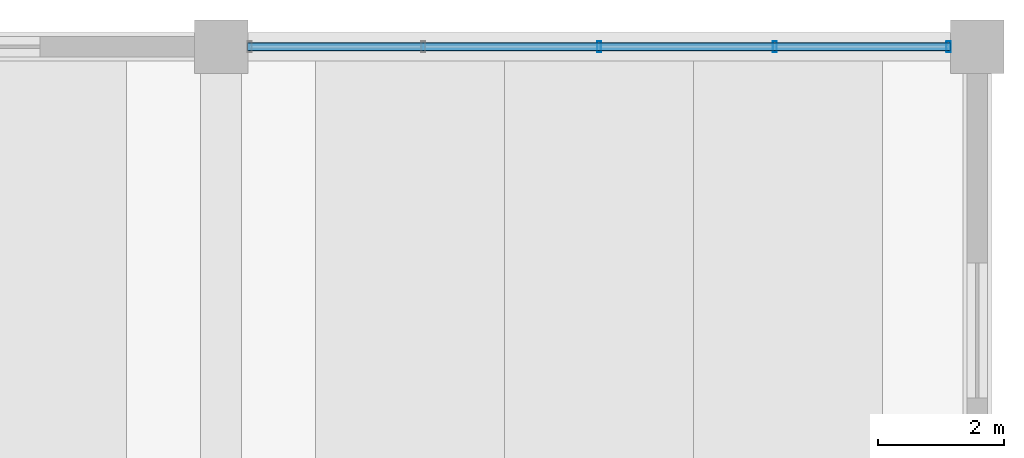
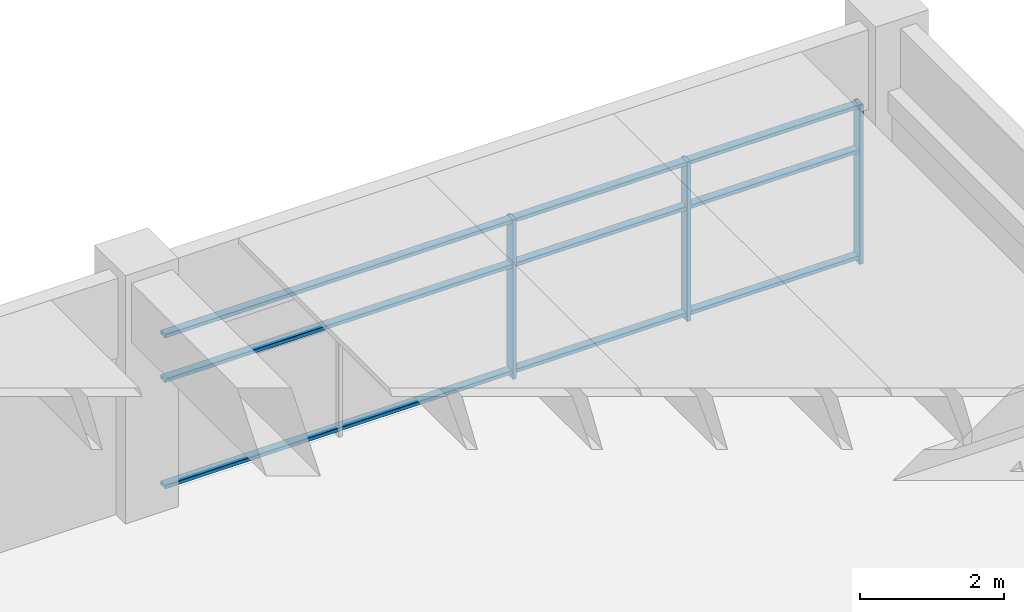
# One storey, part 30 of 50: 6 members, 1 element without a shape of its own.
"""IFC4 building model written with IfcOpenShell, lengths in metres."""

from ifc_helpers import new_model, si_unit, direction, frame, origin, origin_2d, place, context, subcontext, project, spatial, hollow_rectangle, extrude, material, material_profile, profile_set, type_object, element, aggregate, save


model = new_model("IFC4")

# Units and contexts
model_context = context("Model", 3, precision=1e-05, world=origin(), true_north=direction((0.0, 1.0)))
body_context = subcontext(model_context, "Body", "Model", "MODEL_VIEW")
ifc_project = project(units=[si_unit("LENGTHUNIT", "METRE"), si_unit("AREAUNIT", "SQUARE_METRE"), si_unit("VOLUMEUNIT", "CUBIC_METRE"), si_unit("PLANEANGLEUNIT", "RADIAN"), si_unit("MASSUNIT", "GRAM", prefix="KILO")], contexts=[model_context])

# Site, building, storey
site_placement = place(None, origin())
site = spatial("IfcSite", under=ifc_project, at=site_placement, CompositionType="ELEMENT")
building_placement = place(site_placement, origin())
building = spatial("IfcBuilding", under=site, at=building_placement, Name="Girod Span Mobility Hub", CompositionType="ELEMENT")
storey_placement = place(building_placement, frame((0.0, 0.0, 5.39990234375)))
storey = spatial("IfcBuildingStorey", under=building, at=storey_placement, Name="L01", CompositionType="ELEMENT", Elevation=5.39990234375)

# Curtain wall, members
ifc_material_1 = material(Name="Thermally Broken Anodised Aluminium", Category="aluminium")
curtain_wall_type = type_object("IfcCurtainWallType", Name="CW-1115X269", PredefinedType="USERDEFINED", material=ifc_material_1)
curtain_wall_placement = place(storey_placement, origin())
curtain_wall = element("IfcCurtainWall", 1, at=curtain_wall_placement, inside=storey, type_object=curtain_wall_type, Name="Concourse Storefront CW-L01-N14 L01", ObjectType="CONCOURSE STOREFRONT", PredefinedType="USERDEFINED")
ifc_material_2 = material(Name="Thermally Broken Anodised Aluminium", Category="aluminium")
ifc_material_profile_1 = material_profile(ifc_material_2, hollow_rectangle(XDim=0.179931640625, YDim=0.06494140625, WallThickness=0.00390625, InnerFilletRadius=0.00390625, OuterFilletRadius=0.008056640625, at=origin_2d()), Name="CW-ML-65X180")
ifc_profile_set_1 = profile_set([ifc_material_profile_1], Name="Thermally Broken Anodised Aluminium")
member_type_1 = type_object("IfcMemberType", Name="CWM-ML-2", PredefinedType="MULLION", material=ifc_profile_set_1)
member_1_placement = place(storey_placement, frame((162.0, 114.0, 0.0), z_axis=(0.0, 0.0, 1.0), x_axis=(0.0, 1.0, 0.0)))
member_1 = element("IfcMember", 2, at=member_1_placement, type_object=member_type_1, Name="Curtain Wall Mullion CW-L01-N14-M2", PredefinedType="MULLION", context=body_context, shape_type="SweptSolid", body=[
    extrude(hollow_rectangle(XDim=0.179931640625, YDim=0.06494140625, WallThickness=0.00390625, InnerFilletRadius=0.00390625, OuterFilletRadius=0.008056640625, at=origin_2d()), origin(), (0.0, 0.0, 1.0), 2.690185546875),
])
member_2_placement = place(storey_placement, frame((164.78857421875, 114.0, 0.0), z_axis=(0.0, 0.0, 1.0), x_axis=(0.0, 1.0, 0.0)))
member_2 = element("IfcMember", 3, at=member_2_placement, type_object=member_type_1, Name="Curtain Wall Mullion CW-L01-N14-M3", PredefinedType="MULLION", context=body_context, shape_type="SweptSolid", body=[
    extrude(hollow_rectangle(XDim=0.179931640625, YDim=0.06494140625, WallThickness=0.00390625, InnerFilletRadius=0.00390625, OuterFilletRadius=0.008056640625, at=origin_2d()), origin(), (0.0, 0.0, 1.0), 2.690185546875),
])
member_3_placement = place(storey_placement, frame((167.544921875, 114.0, 0.0), z_axis=(0.0, 0.0, 1.0), x_axis=(0.0, 1.0, 0.0)))
member_3 = element("IfcMember", 4, at=member_3_placement, type_object=member_type_1, Name="Curtain Wall Mullion CW-L01-N14-M4", PredefinedType="MULLION", context=body_context, shape_type="SweptSolid", body=[
    extrude(hollow_rectangle(XDim=0.179931640625, YDim=0.06494140625, WallThickness=0.00390625, InnerFilletRadius=0.00390625, OuterFilletRadius=0.008056640625, at=origin_2d()), origin(), (0.0, 0.0, 1.0), 2.690185546875),
])
ifc_material_3 = material(Name="Thermally Broken Anodised Aluminium", Category="aluminium")
ifc_material_profile_2 = material_profile(ifc_material_3, hollow_rectangle(XDim=0.135009765625, YDim=0.06494140625, WallThickness=0.00390625, InnerFilletRadius=0.00390625, OuterFilletRadius=0.008056640625, at=origin_2d()), Name="CW-TR-65X135")
ifc_profile_set_2 = profile_set([ifc_material_profile_2], Name="Thermally Broken Anodised Aluminium")
member_type_2 = type_object("IfcMemberType", Name="CWM-TR-2", PredefinedType="USERDEFINED", material=ifc_profile_set_2)
member_4_placement = place(storey_placement, frame((156.423095703125, 114.0, 0.107666015625), z_axis=(1.0, 0.0, 0.0), x_axis=(0.0, 1.0, 0.0)))
member_4 = element("IfcMember", 5, at=member_4_placement, type_object=member_type_2, Name="Curtain Wall Transom CW-L01-N14-T1", ObjectType="TRANSOM", PredefinedType="USERDEFINED", context=body_context, shape_type="SweptSolid", body=[
    extrude(hollow_rectangle(XDim=0.135009765625, YDim=0.06494140625, WallThickness=0.00390625, InnerFilletRadius=0.00390625, OuterFilletRadius=0.008056640625, at=origin_2d()), origin(), (0.0, 0.0, 1.0), 11.15380859375),
])
member_5_placement = place(storey_placement, frame((156.423095703125, 114.0, 1.904296875), z_axis=(1.0, 0.0, 0.0), x_axis=(0.0, 1.0, 0.0)))
member_5 = element("IfcMember", 6, at=member_5_placement, type_object=member_type_2, Name="Curtain Wall Transom CW-L01-N14-T2", ObjectType="TRANSOM", PredefinedType="USERDEFINED", context=body_context, shape_type="SweptSolid", body=[
    extrude(hollow_rectangle(XDim=0.135009765625, YDim=0.06494140625, WallThickness=0.00390625, InnerFilletRadius=0.00390625, OuterFilletRadius=0.008056640625, at=origin_2d()), origin(), (0.0, 0.0, 1.0), 11.15380859375),
])
member_6_placement = place(storey_placement, frame((156.423095703125, 114.0, 2.65771484375), z_axis=(1.0, 0.0, 0.0), x_axis=(0.0, 1.0, 0.0)))
member_6 = element("IfcMember", 7, at=member_6_placement, type_object=member_type_2, Name="Curtain Wall Transom CW-L01-N14-T3", ObjectType="TRANSOM", PredefinedType="USERDEFINED", context=body_context, shape_type="SweptSolid", body=[
    extrude(hollow_rectangle(XDim=0.135009765625, YDim=0.06494140625, WallThickness=0.00390625, InnerFilletRadius=0.00390625, OuterFilletRadius=0.008056640625, at=origin_2d()), origin(), (0.0, 0.0, 1.0), 11.15380859375),
])
aggregate(curtain_wall, [member_1, member_2, member_3, member_4, member_5, member_6])

save(model, "model.ifc")
